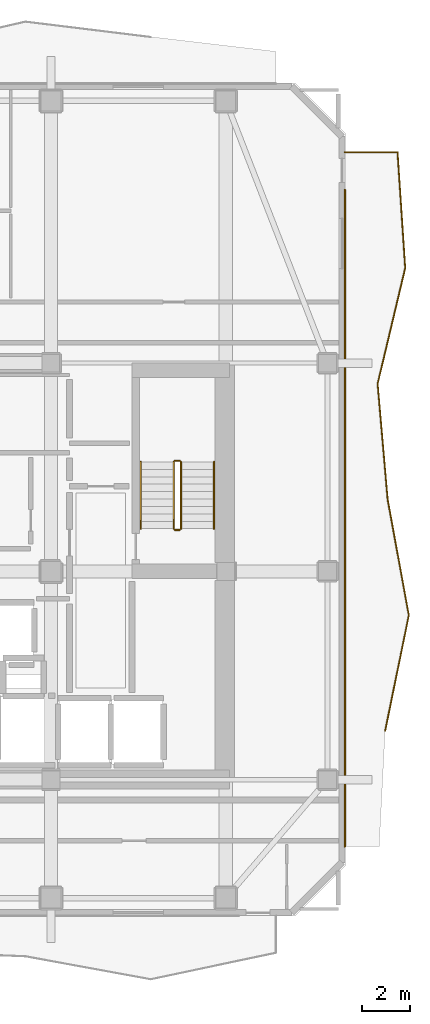
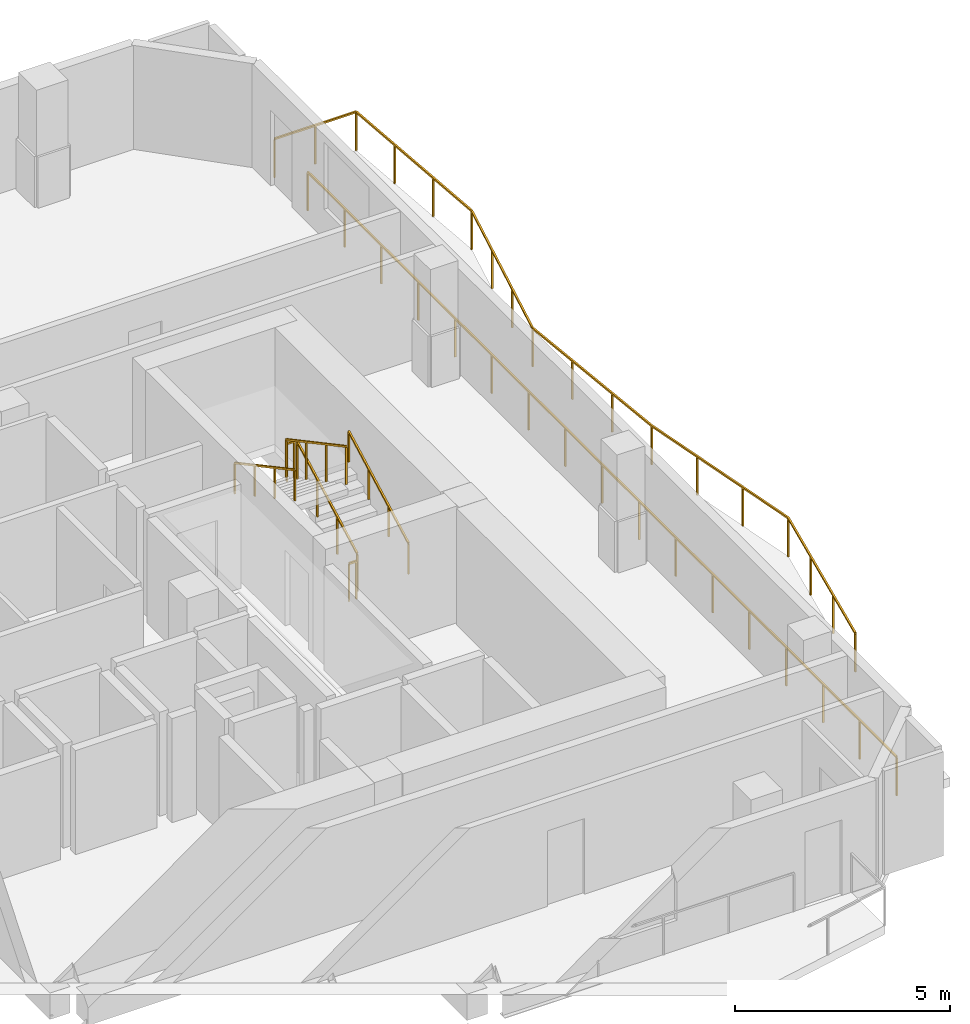
# One storey, part 9 of 10: 8 railings.
"""IFC4 building model written with IfcOpenShell, lengths in metres."""

from ifc_helpers import new_model, si_unit, direction, frame, origin, origin_2d, place, context, subcontext, project, spatial, rectangle, extrude, material, type_object, element, save


model = new_model("IFC4")

# Units and contexts
model_context = context("Model", 3, precision=1e-05, world=origin(), true_north=direction((0.0, 1.0)))
body_context = subcontext(model_context, "Body", "Model", "MODEL_VIEW")
ifc_project = project(units=[si_unit("LENGTHUNIT", "METRE"), si_unit("AREAUNIT", "SQUARE_METRE"), si_unit("VOLUMEUNIT", "CUBIC_METRE"), si_unit("PLANEANGLEUNIT", "RADIAN"), si_unit("MASSUNIT", "GRAM", prefix="KILO")], contexts=[model_context])

# Site, building, storey
site_placement = place(None, origin())
site = spatial("IfcSite", under=ifc_project, at=site_placement, CompositionType="ELEMENT")
building_placement = place(site_placement, origin())
building = spatial("IfcBuilding", under=site, at=building_placement, Name="Solanera Arch Residences", CompositionType="ELEMENT")
storey_placement = place(building_placement, frame((0.0, 0.0, 254.52001953125)))
storey = spatial("IfcBuildingStorey", under=building, at=storey_placement, Name="L74", CompositionType="ELEMENT", Elevation=254.52001953125)

# Railings
ifc_material_1 = material(Name="Steel S355 (ASTM A992 / A572 Grade 50)", Category="steel")
railing_type_1 = type_object("IfcRailingType", Name="Balustrade Railing BL-1100", PredefinedType="BALUSTRADE", material=ifc_material_1)
railing_1_placement = place(storey_placement, frame((43.159912109375, 24.032958984375, 0.0)))
element("IfcRailing", 1, at=railing_1_placement, inside=storey, type_object=railing_type_1, Name="L74 E Balcony Balustrade 1", PredefinedType="BALUSTRADE", context=body_context, shape_type="SweptSolid", body=[
    extrude(rectangle(XDim=0.048095703125, YDim=0.048095703125, at=origin_2d()), frame((0.0, 0.0, 1.09619140625), z_axis=(0.200253749353, 0.979744066514, 0.0), x_axis=(-0.979744066514, 0.200253749353, 0.0)), (0.0, 0.0, 1.0), 4.933837890625),
    extrude(rectangle(XDim=0.048095703125, YDim=0.048095703125, at=origin_2d()), frame((0.988037109375, 4.833984375, 1.09619140625), z_axis=(-0.179738095847, 0.983714499691, 0.0), x_axis=(-0.983714499691, -0.179738095847, 0.0)), (0.0, 0.0, 1.0), 4.9130859375),
    extrude(rectangle(XDim=0.048095703125, YDim=0.048095703125, at=origin_2d()), frame((0.10498046875, 9.6669921875, 1.09619140625), z_axis=(-0.08656012332, 0.996246628627, 0.0), x_axis=(-0.996246628627, -0.08656012332, 0.0)), (0.0, 0.0, 1.0), 4.851318359375),
    extrude(rectangle(XDim=0.048095703125, YDim=0.048095703125, at=origin_2d()), frame((-0.31494140625, 14.5, 1.09619140625), z_axis=(0.232025644782, 0.972709668999, 0.0), x_axis=(-0.972709668999, 0.232025644782, 0.0)), (0.0, 0.0, 1.0), 4.9697265625),
    extrude(rectangle(XDim=0.048095703125, YDim=0.048095703125, at=origin_2d()), frame((0.838134765625, 19.333984375, 1.09619140625), z_axis=(-0.06628148456, 0.997800964524, 0.0), x_axis=(-0.997800964524, -0.06628148456, 0.0)), (0.0, 0.0, 1.0), 4.84375),
    extrude(rectangle(XDim=0.048095703125, YDim=0.048095703125, at=origin_2d()), frame((0.51708984375, 24.1669921875, 1.09619140625), z_axis=(-1.0, 0.0, 0.0), x_axis=(0.0, -1.0, 0.0)), (0.0, 0.0, 1.0), 2.197021484375),
    extrude(rectangle(XDim=0.0419921875, YDim=0.0419921875, at=origin_2d()), origin(), (0.0, 0.0, 1.0), 1.072021484375),
    extrude(rectangle(XDim=0.0419921875, YDim=0.0419921875, at=origin_2d()), frame((0.329345703125, 1.611328125, 0.0)), (0.0, 0.0, 1.0), 1.072021484375),
    extrude(rectangle(XDim=0.0419921875, YDim=0.0419921875, at=origin_2d()), frame((0.65869140625, 3.22265625, 0.0)), (0.0, 0.0, 1.0), 1.072021484375),
    extrude(rectangle(XDim=0.0419921875, YDim=0.0419921875, at=origin_2d()), frame((0.988037109375, 4.833984375, 0.0)), (0.0, 0.0, 1.0), 1.072021484375),
    extrude(rectangle(XDim=0.0419921875, YDim=0.0419921875, at=origin_2d()), frame((0.693603515625, 6.445068359375, 0.0)), (0.0, 0.0, 1.0), 1.072021484375),
    extrude(rectangle(XDim=0.0419921875, YDim=0.0419921875, at=origin_2d()), frame((0.3994140625, 8.055908203125, 0.0)), (0.0, 0.0, 1.0), 1.072021484375),
    extrude(rectangle(XDim=0.0419921875, YDim=0.0419921875, at=origin_2d()), frame((0.10498046875, 9.6669921875, 0.0)), (0.0, 0.0, 1.0), 1.072021484375),
    extrude(rectangle(XDim=0.0419921875, YDim=0.0419921875, at=origin_2d()), frame((-0.034912109375, 11.278076171875, 0.0)), (0.0, 0.0, 1.0), 1.072021484375),
    extrude(rectangle(XDim=0.0419921875, YDim=0.0419921875, at=origin_2d()), frame((-0.175048828125, 12.888916015625, 0.0)), (0.0, 0.0, 1.0), 1.072021484375),
    extrude(rectangle(XDim=0.0419921875, YDim=0.0419921875, at=origin_2d()), frame((-0.31494140625, 14.5, 0.0)), (0.0, 0.0, 1.0), 1.072021484375),
    extrude(rectangle(XDim=0.0419921875, YDim=0.0419921875, at=origin_2d()), frame((0.0693359375, 16.111328125, 0.0)), (0.0, 0.0, 1.0), 1.072021484375),
    extrude(rectangle(XDim=0.0419921875, YDim=0.0419921875, at=origin_2d()), frame((0.453857421875, 17.72265625, 0.0)), (0.0, 0.0, 1.0), 1.072021484375),
    extrude(rectangle(XDim=0.0419921875, YDim=0.0419921875, at=origin_2d()), frame((0.838134765625, 19.333984375, 0.0)), (0.0, 0.0, 1.0), 1.072021484375),
    extrude(rectangle(XDim=0.0419921875, YDim=0.0419921875, at=origin_2d()), frame((0.731201171875, 20.945068359375, 0.0)), (0.0, 0.0, 1.0), 1.072021484375),
    extrude(rectangle(XDim=0.0419921875, YDim=0.0419921875, at=origin_2d()), frame((0.6240234375, 22.555908203125, 0.0)), (0.0, 0.0, 1.0), 1.072021484375),
    extrude(rectangle(XDim=0.0419921875, YDim=0.0419921875, at=origin_2d()), frame((0.51708984375, 24.1669921875, 0.0)), (0.0, 0.0, 1.0), 1.072021484375),
    extrude(rectangle(XDim=0.0419921875, YDim=0.0419921875, at=origin_2d()), frame((-0.58154296875, 24.1669921875, 0.0)), (0.0, 0.0, 1.0), 1.072021484375),
    extrude(rectangle(XDim=0.0419921875, YDim=0.0419921875, at=origin_2d()), frame((-1.679931640625, 24.1669921875, 0.0)), (0.0, 0.0, 1.0), 1.072021484375),
])
railing_2_placement = place(storey_placement, frame((41.47998046875, 46.64501953125, 0.0)))
element("IfcRailing", 2, at=railing_2_placement, inside=storey, type_object=railing_type_1, Name="L74 E Balcony Balustrade 2", PredefinedType="BALUSTRADE", context=body_context, shape_type="SweptSolid", body=[
    extrude(rectangle(XDim=0.048095703125, YDim=0.048095703125, at=origin_2d()), frame((0.0, 0.0, 1.09619140625), z_axis=(0.0, -1.0, 0.0), x_axis=(1.0, 0.0, 0.0)), (0.0, 0.0, 1.0), 27.445068359375),
    extrude(rectangle(XDim=0.0419921875, YDim=0.0419921875, at=origin_2d()), origin(), (0.0, 0.0, 1.0), 1.072021484375),
    extrude(rectangle(XDim=0.0419921875, YDim=0.0419921875, at=origin_2d()), frame((0.0, -1.71533203125, 0.0)), (0.0, 0.0, 1.0), 1.072021484375),
    extrude(rectangle(XDim=0.0419921875, YDim=0.0419921875, at=origin_2d()), frame((0.0, -3.4306640625, 0.0)), (0.0, 0.0, 1.0), 1.072021484375),
    extrude(rectangle(XDim=0.0419921875, YDim=0.0419921875, at=origin_2d()), frame((0.0, -5.14599609375, 0.0)), (0.0, 0.0, 1.0), 1.072021484375),
    extrude(rectangle(XDim=0.0419921875, YDim=0.0419921875, at=origin_2d()), frame((0.0, -6.861328125, 0.0)), (0.0, 0.0, 1.0), 1.072021484375),
    extrude(rectangle(XDim=0.0419921875, YDim=0.0419921875, at=origin_2d()), frame((0.0, -8.57666015625, 0.0)), (0.0, 0.0, 1.0), 1.072021484375),
    extrude(rectangle(XDim=0.0419921875, YDim=0.0419921875, at=origin_2d()), frame((0.0, -10.2919921875, 0.0)), (0.0, 0.0, 1.0), 1.072021484375),
    extrude(rectangle(XDim=0.0419921875, YDim=0.0419921875, at=origin_2d()), frame((0.0, -12.00732421875, 0.0)), (0.0, 0.0, 1.0), 1.072021484375),
    extrude(rectangle(XDim=0.0419921875, YDim=0.0419921875, at=origin_2d()), frame((0.0, -13.72265625, 0.0)), (0.0, 0.0, 1.0), 1.072021484375),
    extrude(rectangle(XDim=0.0419921875, YDim=0.0419921875, at=origin_2d()), frame((0.0, -15.437744140625, 0.0)), (0.0, 0.0, 1.0), 1.072021484375),
    extrude(rectangle(XDim=0.0419921875, YDim=0.0419921875, at=origin_2d()), frame((0.0, -17.153076171875, 0.0)), (0.0, 0.0, 1.0), 1.072021484375),
    extrude(rectangle(XDim=0.0419921875, YDim=0.0419921875, at=origin_2d()), frame((0.0, -18.868408203125, 0.0)), (0.0, 0.0, 1.0), 1.072021484375),
    extrude(rectangle(XDim=0.0419921875, YDim=0.0419921875, at=origin_2d()), frame((0.0, -20.583740234375, 0.0)), (0.0, 0.0, 1.0), 1.072021484375),
    extrude(rectangle(XDim=0.0419921875, YDim=0.0419921875, at=origin_2d()), frame((0.0, -22.299072265625, 0.0)), (0.0, 0.0, 1.0), 1.072021484375),
    extrude(rectangle(XDim=0.0419921875, YDim=0.0419921875, at=origin_2d()), frame((0.0, -24.014404296875, 0.0)), (0.0, 0.0, 1.0), 1.072021484375),
    extrude(rectangle(XDim=0.0419921875, YDim=0.0419921875, at=origin_2d()), frame((0.0, -25.729736328125, 0.0)), (0.0, 0.0, 1.0), 1.072021484375),
    extrude(rectangle(XDim=0.0419921875, YDim=0.0419921875, at=origin_2d()), frame((0.0, -27.445068359375, 0.0)), (0.0, 0.0, 1.0), 1.072021484375),
])
ifc_material_2 = material(Name="Steel S355 (ASTM A992 / A572 Grade 50)", Category="steel")
railing_type_2 = type_object("IfcRailingType", Name="Stair Guardrail GR-1100", PredefinedType="GUARDRAIL", material=ifc_material_2)
railing_3_placement = place(storey_placement, frame((34.6298828125, 32.47998046875, 0.15087890625)))
element("IfcRailing", 3, at=railing_3_placement, inside=storey, type_object=railing_type_2, Name="L74 ST-T2 stair guard 1", PredefinedType="GUARDRAIL", context=body_context, shape_type="SweptSolid", body=[
    extrude(rectangle(XDim=0.048095703125, YDim=0.048095703125, at=origin_2d()), frame((0.0, 0.0, 1.076171875), z_axis=(0.0, 0.881548766853, 0.472092969298), x_axis=(-1.0, 0.0, 0.0)), (0.0, 0.0, 1.0), 3.1650390625),
    extrude(rectangle(XDim=0.0419921875, YDim=0.0419921875, at=origin_2d()), origin(), (0.0, 0.0, 1.0), 1.052001953125),
    extrude(rectangle(XDim=0.0419921875, YDim=0.0419921875, at=origin_2d()), frame((0.0, 0.929931640625, 0.498046875)), (0.0, 0.0, 1.0), 1.052001953125),
    extrude(rectangle(XDim=0.0419921875, YDim=0.0419921875, at=origin_2d()), frame((0.0, 1.860107421875, 0.99609375)), (0.0, 0.0, 1.0), 1.052001953125),
    extrude(rectangle(XDim=0.0419921875, YDim=0.0419921875, at=origin_2d()), frame((0.0, 2.7900390625, 1.494140625)), (0.0, 0.0, 1.0), 1.052001953125),
])
railing_4_placement = place(storey_placement, frame((34.580078125, 35.320068359375, 1.64501953125)))
element("IfcRailing", 4, at=railing_4_placement, inside=storey, type_object=railing_type_2, Name="L74 ST-T2 stair guard 2", PredefinedType="GUARDRAIL", context=body_context, shape_type="SweptSolid", body=[
    extrude(rectangle(XDim=0.048095703125, YDim=0.048095703125, at=origin_2d()), frame((0.0, 0.0, 1.076171875), z_axis=(-1.0, 0.0, 0.0), x_axis=(0.0, -1.0, 0.0)), (0.0, 0.0, 1.0), 0.2001953125),
    extrude(rectangle(XDim=0.0419921875, YDim=0.0419921875, at=origin_2d()), origin(), (0.0, 0.0, 1.0), 1.052001953125),
    extrude(rectangle(XDim=0.0419921875, YDim=0.0419921875, at=origin_2d()), frame((-0.2001953125, 0.0, 0.0)), (0.0, 0.0, 1.0), 1.052001953125),
])
railing_5_placement = place(storey_placement, frame((34.330078125, 35.27001953125, 1.81103515625)))
element("IfcRailing", 5, at=railing_5_placement, inside=storey, type_object=railing_type_2, Name="L74 ST-T2 stair guard 3", PredefinedType="GUARDRAIL", context=body_context, shape_type="SweptSolid", body=[
    extrude(rectangle(XDim=0.048095703125, YDim=0.048095703125, at=origin_2d()), frame((0.0, 0.0, 1.076171875), z_axis=(0.0, -0.881580869306, 0.472033018838), x_axis=(1.0, 0.0, 0.0)), (0.0, 0.0, 1.0), 3.164794921875),
    extrude(rectangle(XDim=0.0419921875, YDim=0.0419921875, at=origin_2d()), origin(), (0.0, 0.0, 1.0), 1.052001953125),
    extrude(rectangle(XDim=0.0419921875, YDim=0.0419921875, at=origin_2d()), frame((0.0, -0.929931640625, 0.498046875)), (0.0, 0.0, 1.0), 1.052001953125),
    extrude(rectangle(XDim=0.0419921875, YDim=0.0419921875, at=origin_2d()), frame((0.0, -1.860107421875, 0.995849609375)), (0.0, 0.0, 1.0), 1.052001953125),
    extrude(rectangle(XDim=0.0419921875, YDim=0.0419921875, at=origin_2d()), frame((0.0, -2.7900390625, 1.493896484375)), (0.0, 0.0, 1.0), 1.052001953125),
])
railing_6_placement = place(storey_placement, frame((34.580078125, 32.429931640625, -0.01513671875)))
element("IfcRailing", 6, at=railing_6_placement, inside=storey, type_object=railing_type_2, Name="L74 ST-T2 stair guard 4", PredefinedType="GUARDRAIL", context=body_context, shape_type="SweptSolid", body=[
    extrude(rectangle(XDim=0.048095703125, YDim=0.048095703125, at=origin_2d()), frame((0.0, 0.0, 1.076171875), z_axis=(-1.0, 0.0, 0.0), x_axis=(0.0, -1.0, 0.0)), (0.0, 0.0, 1.0), 0.2001953125),
    extrude(rectangle(XDim=0.0419921875, YDim=0.0419921875, at=origin_2d()), origin(), (0.0, 0.0, 1.0), 1.052001953125),
    extrude(rectangle(XDim=0.0419921875, YDim=0.0419921875, at=origin_2d()), frame((-0.2001953125, 0.0, 0.0)), (0.0, 0.0, 1.0), 1.052001953125),
])
ifc_material_3 = material(Name="Steel S355 (ASTM A992 / A572 Grade 50)", Category="steel")
railing_type_3 = type_object("IfcRailingType", Name="Stair Wall Handrail HR-920", PredefinedType="HANDRAIL", material=ifc_material_3)
railing_7_placement = place(storey_placement, frame((36.010009765625, 32.47998046875, 0.166015625)))
element("IfcRailing", 7, at=railing_7_placement, inside=storey, type_object=railing_type_3, Name="L74 ST-T2 stair handrail 1", PredefinedType="HANDRAIL", context=body_context, shape_type="SweptSolid", body=[
    extrude(rectangle(XDim=0.048095703125, YDim=0.048095703125, at=origin_2d()), frame((0.0, 0.0, 0.8759765625), z_axis=(0.0, 0.881580869306, 0.472033018838), x_axis=(-1.0, 0.0, 0.0)), (0.0, 0.0, 1.0), 3.164794921875),
    extrude(rectangle(XDim=0.0419921875, YDim=0.0419921875, at=origin_2d()), origin(), (0.0, 0.0, 1.0), 0.851806640625),
    extrude(rectangle(XDim=0.0419921875, YDim=0.0419921875, at=origin_2d()), frame((0.0, 0.929931640625, 0.498046875)), (0.0, 0.0, 1.0), 0.851806640625),
    extrude(rectangle(XDim=0.0419921875, YDim=0.0419921875, at=origin_2d()), frame((0.0, 1.860107421875, 0.995849609375)), (0.0, 0.0, 1.0), 0.851806640625),
    extrude(rectangle(XDim=0.0419921875, YDim=0.0419921875, at=origin_2d()), frame((0.0, 2.7900390625, 1.493896484375)), (0.0, 0.0, 1.0), 0.851806640625),
])
railing_8_placement = place(storey_placement, frame((32.949951171875, 35.27001953125, 1.825927734375)))
element("IfcRailing", 8, at=railing_8_placement, inside=storey, type_object=railing_type_3, Name="L74 ST-T2 stair handrail 2", PredefinedType="HANDRAIL", context=body_context, shape_type="SweptSolid", body=[
    extrude(rectangle(XDim=0.048095703125, YDim=0.048095703125, at=origin_2d()), frame((0.0, 0.0, 0.8759765625), z_axis=(0.0, -0.881548766853, 0.472092969298), x_axis=(1.0, 0.0, 0.0)), (0.0, 0.0, 1.0), 3.1650390625),
    extrude(rectangle(XDim=0.0419921875, YDim=0.0419921875, at=origin_2d()), origin(), (0.0, 0.0, 1.0), 0.851806640625),
    extrude(rectangle(XDim=0.0419921875, YDim=0.0419921875, at=origin_2d()), frame((0.0, -0.929931640625, 0.498046875)), (0.0, 0.0, 1.0), 0.851806640625),
    extrude(rectangle(XDim=0.0419921875, YDim=0.0419921875, at=origin_2d()), frame((0.0, -1.860107421875, 0.99609375)), (0.0, 0.0, 1.0), 0.851806640625),
    extrude(rectangle(XDim=0.0419921875, YDim=0.0419921875, at=origin_2d()), frame((0.0, -2.7900390625, 1.494140625)), (0.0, 0.0, 1.0), 0.851806640625),
])

save(model, "model.ifc")
